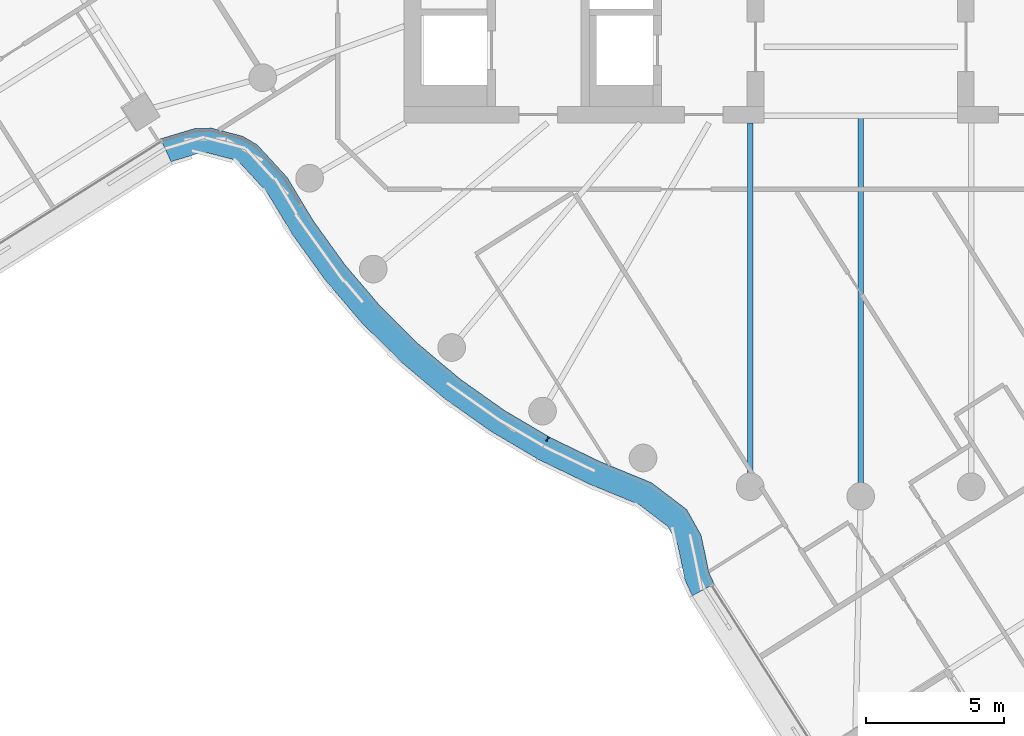
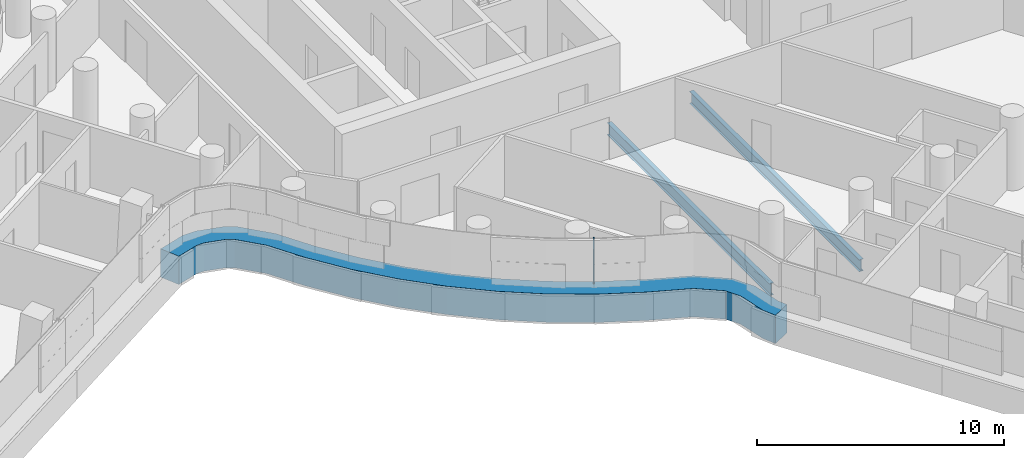
# One storey, part 6 of 36: 2 beams, 2 members, 1 element without a shape of its own.
"""IFC4 building model written with IfcOpenShell, lengths in metres."""

from ifc_helpers import new_model, si_unit, direction, frame, origin, origin_2d, place, context, subcontext, project, spatial, polyline, rectangle, i_section, outline, extrude, material, layer, layer_set, material_profile, profile_set, type_object, element, aggregate, save


model = new_model("IFC4")

# Units and contexts
model_context = context("Model", 3, precision=1e-05, world=origin(), true_north=direction((0.0, 1.0)))
body_context = subcontext(model_context, "Body", "Model", "MODEL_VIEW")
ifc_project = project(units=[si_unit("LENGTHUNIT", "METRE"), si_unit("AREAUNIT", "SQUARE_METRE"), si_unit("VOLUMEUNIT", "CUBIC_METRE"), si_unit("PLANEANGLEUNIT", "RADIAN"), si_unit("MASSUNIT", "GRAM", prefix="KILO")], contexts=[model_context])

# Site, building, storey
site_placement = place(None, origin())
site = spatial("IfcSite", under=ifc_project, at=site_placement, CompositionType="ELEMENT")
building_placement = place(site_placement, origin())
building = spatial("IfcBuilding", under=site, at=building_placement, Name="Tamarind Cross Interchange Tower", CompositionType="ELEMENT")
storey_placement = place(building_placement, frame((0.0, 0.0, 151.75)))
storey = spatial("IfcBuildingStorey", under=building, at=storey_placement, Name="L37", CompositionType="ELEMENT", Elevation=151.75)

# Beams
ifc_material_1 = material(Name="Steel Q355B", Category="steel")
ifc_material_profile_1 = material_profile(ifc_material_1, i_section(OverallWidth=0.198974609375, OverallDepth=0.595947265625, WebThickness=0.010009765625, FlangeThickness=0.014892578125, FilletRadius=0.012939453125, at=origin_2d()), Name="HN 596x199x10x15")
ifc_profile_set_1 = profile_set([ifc_material_profile_1], Name="Steel Q355B")
beam_type = type_object("IfcBeamType", Name="Composite beam HN 596x199x10x15 Q355B", PredefinedType="BEAM", material=ifc_profile_set_1)
beam_1_placement = place(storey_placement, frame((-3.993896484375, -22.650634765625, -0.43798828125), z_axis=(0.0, 1.0, 0.0), x_axis=(-1.0, 0.0, 0.0)))
element("IfcBeam", 1, at=beam_1_placement, inside=storey, type_object=beam_type, Name="Beam HH26", PredefinedType="BEAM", context=body_context, shape_type="SweptSolid", body=[
    extrude(i_section(OverallWidth=0.198974609375, OverallDepth=0.595947265625, WebThickness=0.010009765625, FlangeThickness=0.014892578125, FilletRadius=0.012939453125, at=origin_2d()), origin(), (0.0, 0.0, 1.0), 13.150634765625),
])
beam_2_placement = place(storey_placement, frame((0.0, -23.0, -0.43798828125), z_axis=(0.0, 1.0, 0.0), x_axis=(-1.0, 0.0, 0.0)))
element("IfcBeam", 2, at=beam_2_placement, inside=storey, type_object=beam_type, Name="Beam HH27", PredefinedType="BEAM", context=body_context, shape_type="SweptSolid", body=[
    extrude(i_section(OverallWidth=0.198974609375, OverallDepth=0.595947265625, WebThickness=0.010009765625, FlangeThickness=0.014892578125, FilletRadius=0.012939453125, at=origin_2d()), origin(), (0.0, 0.0, 1.0), 13.75),
])

# Curtain wall, members
ifc_material_2 = material(Name="Aluminium 6063-T6", Category="aluminium")
ifc_layer = layer(ifc_material_2, 0.159912109375)
ifc_layer_set = layer_set([ifc_layer], Name="Aluminium 6063-T6")
curtain_wall_type = type_object("IfcCurtainWallType", Name="Office curtain wall, 9.0 m bays", PredefinedType="NOTDEFINED", material=ifc_layer_set)
curtain_wall_placement = place(storey_placement, origin())
curtain_wall = element("IfcCurtainWall", 3, at=curtain_wall_placement, inside=storey, type_object=curtain_wall_type, Name="CWS-L37-06", PredefinedType="NOTDEFINED")
ifc_material_3 = material(Name="Aluminium and insulated spandrel panel", Category="aluminium")
member_type_1 = type_object("IfcMemberType", Name="Floor-edge blade transom", PredefinedType="USERDEFINED", material=ifc_material_3)
member_1_placement = place(storey_placement, origin())
member_1 = element("IfcMember", 4, at=member_1_placement, type_object=member_type_1, Name="CWT-L37-06", ObjectType="TRANSOM", PredefinedType="USERDEFINED", context=body_context, shape_type="SweptSolid", body=[
    extrude(outline(polyline([(-25.30517578125, -10.07470703125), (-24.06982421875, -9.70361328125), (-23.457763671875, -9.692138671875), (-22.3427734375, -9.982421875), (-21.810302734375, -10.29296875), (-20.731201171875, -11.46826171875), (-19.78125, -13.04541015625), (-18.636474609375, -14.634521484375), (-17.3642578125, -16.12353515625), (-15.973388671875, -17.50244140625), (-14.4736328125, -18.76171875), (-12.874755859375, -19.892822265625), (-11.188232421875, -20.88818359375), (-9.422119140625, -21.741943359375), (-7.56005859375, -22.506103515625), (-6.28857421875, -23.4736328125), (-5.769287109375, -24.40234375), (-5.631103515625, -25.041259765625), (-5.490966796875, -25.73779296875), (-5.294677734375, -26.161376953125), (-6.086181640625, -26.59375), (-6.352294921875, -26.019775390625), (-6.51220703125, -25.22509765625), (-6.62060546875, -24.72412109375), (-6.982666015625, -24.076416015625), (-8.010986328125, -23.293701171875), (-9.7890625, -22.564208984375), (-11.613525390625, -21.68212890625), (-13.3642578125, -20.64892578125), (-15.023681640625, -19.474853515625), (-16.580810546875, -18.167724609375), (-18.0244140625, -16.736572265625), (-19.344970703125, -15.19091796875), (-20.533203125, -13.54150390625), (-21.455322265625, -12.01025390625), (-22.38134765625, -11.001708984375), (-22.689208984375, -10.822265625), (-23.564697265625, -10.59423828125), (-23.92919921875, -10.60107421875), (-24.928466796875, -10.9013671875), (-25.30517578125, -10.07470703125)])), origin(), (0.0, 0.0, 1.0), 1.39990234375),
])
ifc_material_profile_2 = material_profile(ifc_material_2, rectangle(XDim=0.06005859375, YDim=0.159912109375, at=origin_2d()), Name="Mullion CW1")
ifc_profile_set_2 = profile_set([ifc_material_profile_2], Name="Aluminium 6063-T6")
member_type_2 = type_object("IfcMemberType", Name="Mullion CW1", PredefinedType="MULLION", material=ifc_profile_set_2)
member_2_placement = place(storey_placement, frame((-11.31884765625, -20.927001953125, 1.39990234375), z_axis=(0.0, 0.0, 1.0), x_axis=(0.861248933065, -0.508183308752, 0.0)))
member_2 = element("IfcMember", 5, at=member_2_placement, type_object=member_type_2, Name="CWM-L37-06-02", PredefinedType="MULLION", context=body_context, shape_type="SweptSolid", body=[
    extrude(rectangle(XDim=0.06005859375, YDim=0.159912109375, at=origin_2d()), origin(), (0.0, 0.0, 1.0), 2.210205078125),
])
aggregate(curtain_wall, [member_2, member_1])

save(model, "model.ifc")
